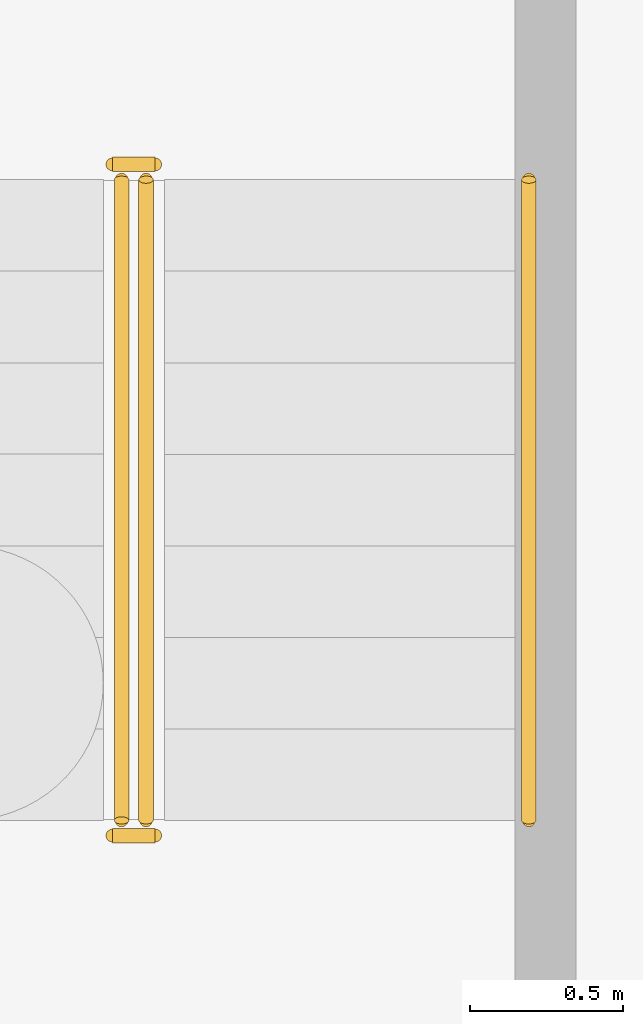
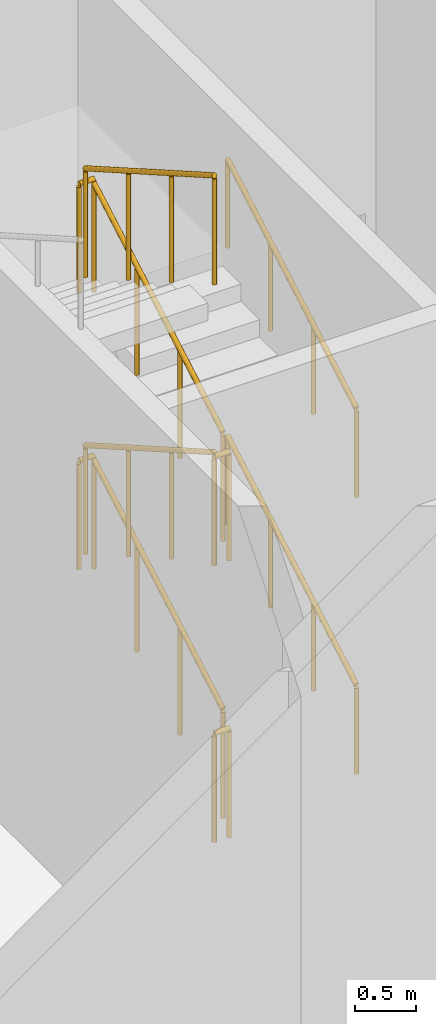
# One storey, part 59 of 82: 10 railings.
"""IFC4 building model written with IfcOpenShell, lengths in metres."""

from ifc_helpers import new_model, si_unit, direction, frame, origin, origin_2d, place, context, subcontext, project, spatial, circle, extrude, material, type_object, element, save


model = new_model("IFC4")

# Units and contexts
model_context = context("Model", 3, precision=1e-05, world=origin(), true_north=direction((0.0, 1.0)))
body_context = subcontext(model_context, "Body", "Model", "MODEL_VIEW")
ifc_project = project(units=[si_unit("LENGTHUNIT", "METRE"), si_unit("AREAUNIT", "SQUARE_METRE"), si_unit("VOLUMEUNIT", "CUBIC_METRE"), si_unit("PLANEANGLEUNIT", "RADIAN"), si_unit("MASSUNIT", "GRAM", prefix="KILO")], contexts=[model_context])

# Site, building, storey
site_placement = place(None, origin())
site = spatial("IfcSite", under=ifc_project, at=site_placement, CompositionType="ELEMENT")
building_placement = place(site_placement, origin())
building = spatial("IfcBuilding", under=site, at=building_placement, Name="Almond Square Museum", CompositionType="ELEMENT")
storey_placement = place(building_placement, origin())
storey = spatial("IfcBuildingStorey", under=building, at=storey_placement, Name="L00", CompositionType="ELEMENT", Elevation=0.0)

# Railings
ifc_material_1 = material(Name="Stainless steel and laminated glass", Category="steel")
railing_type_1 = type_object("IfcRailingType", Name="Stair guard 1100 steel and glass", PredefinedType="GUARDRAIL", material=ifc_material_1)
railing_1_placement = place(storey_placement, frame((125.090087890625, 12.14990234375, 0.171875)))
element("IfcRailing", 1, at=railing_1_placement, inside=storey, type_object=railing_type_1, Name="L00 ST-31 stair guard 1", PredefinedType="GUARDRAIL", context=body_context, shape_type="SweptSolid", body=[
    extrude(circle(Radius=0.02392578125, at=origin_2d()), frame((0.0, 0.0, 1.076171875), z_axis=(0.0, 0.867696358075, 0.497094588769), x_axis=(-1.0, 0.0, 0.0)), (0.0, 0.0, 1.0), 2.42041015625),
    extrude(circle(Radius=0.02099609375, at=origin_2d()), origin(), (0.0, 0.0, 1.0), 1.052001953125),
    extrude(circle(Radius=0.02099609375, at=origin_2d()), frame((0.0, 0.699951171875, 0.401123046875)), (0.0, 0.0, 1.0), 1.052001953125),
    extrude(circle(Radius=0.02099609375, at=origin_2d()), frame((0.0, 1.400146484375, 0.802001953125)), (0.0, 0.0, 1.0), 1.052001953125),
    extrude(circle(Radius=0.02099609375, at=origin_2d()), frame((0.0, 2.10009765625, 1.203125)), (0.0, 0.0, 1.0), 1.052001953125),
])
railing_2_placement = place(storey_placement, frame((125.1201171875, 14.300048828125, 1.375)))
element("IfcRailing", 2, at=railing_2_placement, inside=storey, type_object=railing_type_1, Name="L00 ST-31 stair guard 2", PredefinedType="GUARDRAIL", context=body_context, shape_type="SweptSolid", body=[
    extrude(circle(Radius=0.02392578125, at=origin_2d()), frame((0.0, 0.0, 1.076171875), z_axis=(-1.0, 0.0, 0.0), x_axis=(0.0, -1.0, 0.0)), (0.0, 0.0, 1.0), 0.14013671875),
    extrude(circle(Radius=0.02099609375, at=origin_2d()), origin(), (0.0, 0.0, 1.0), 1.052001953125),
    extrude(circle(Radius=0.02099609375, at=origin_2d()), frame((-0.14013671875, 0.0, 0.0)), (0.0, 0.0, 1.0), 1.052001953125),
])
railing_3_placement = place(storey_placement, frame((125.010009765625, 14.25, 1.546875)))
element("IfcRailing", 3, at=railing_3_placement, inside=storey, type_object=railing_type_1, Name="L00 ST-31 stair guard 3", PredefinedType="GUARDRAIL", context=body_context, shape_type="SweptSolid", body=[
    extrude(circle(Radius=0.02392578125, at=origin_2d()), frame((0.0, 0.0, 1.076171875), z_axis=(0.0, -0.867696358075, 0.497094588769), x_axis=(1.0, 0.0, 0.0)), (0.0, 0.0, 1.0), 2.42041015625),
    extrude(circle(Radius=0.02099609375, at=origin_2d()), origin(), (0.0, 0.0, 1.0), 1.052001953125),
    extrude(circle(Radius=0.02099609375, at=origin_2d()), frame((0.0, -0.699951171875, 0.401123046875)), (0.0, 0.0, 1.0), 1.052001953125),
    extrude(circle(Radius=0.02099609375, at=origin_2d()), frame((0.0, -1.400146484375, 0.802001953125)), (0.0, 0.0, 1.0), 1.052001953125),
    extrude(circle(Radius=0.02099609375, at=origin_2d()), frame((0.0, -2.10009765625, 1.203125)), (0.0, 0.0, 1.0), 1.052001953125),
])
railing_4_placement = place(storey_placement, frame((125.1201171875, 12.10009765625, 2.75)))
element("IfcRailing", 4, at=railing_4_placement, inside=storey, type_object=railing_type_1, Name="L00 ST-31 stair guard 4", PredefinedType="GUARDRAIL", context=body_context, shape_type="SweptSolid", body=[
    extrude(circle(Radius=0.02392578125, at=origin_2d()), frame((0.0, 0.0, 1.076171875), z_axis=(-1.0, 0.0, 0.0), x_axis=(0.0, -1.0, 0.0)), (0.0, 0.0, 1.0), 0.14013671875),
    extrude(circle(Radius=0.02099609375, at=origin_2d()), origin(), (0.0, 0.0, 1.0), 1.052001953125),
    extrude(circle(Radius=0.02099609375, at=origin_2d()), frame((-0.14013671875, 0.0, 0.0)), (0.0, 0.0, 1.0), 1.052001953125),
])
railing_5_placement = place(storey_placement, frame((125.090087890625, 12.14990234375, 2.921875)))
element("IfcRailing", 5, at=railing_5_placement, inside=storey, type_object=railing_type_1, Name="L00 ST-31 stair guard 5", PredefinedType="GUARDRAIL", context=body_context, shape_type="SweptSolid", body=[
    extrude(circle(Radius=0.02392578125, at=origin_2d()), frame((0.0, 0.0, 1.076171875), z_axis=(0.0, 0.867696358075, 0.497094588769), x_axis=(-1.0, 0.0, 0.0)), (0.0, 0.0, 1.0), 2.42041015625),
    extrude(circle(Radius=0.02099609375, at=origin_2d()), origin(), (0.0, 0.0, 1.0), 1.052001953125),
    extrude(circle(Radius=0.02099609375, at=origin_2d()), frame((0.0, 0.699951171875, 0.401123046875)), (0.0, 0.0, 1.0), 1.052001953125),
    extrude(circle(Radius=0.02099609375, at=origin_2d()), frame((0.0, 1.400146484375, 0.802001953125)), (0.0, 0.0, 1.0), 1.052001953125),
    extrude(circle(Radius=0.02099609375, at=origin_2d()), frame((0.0, 2.10009765625, 1.203125)), (0.0, 0.0, 1.0), 1.052001953125),
])
railing_6_placement = place(storey_placement, frame((125.1201171875, 14.300048828125, 4.125)))
element("IfcRailing", 6, at=railing_6_placement, inside=storey, type_object=railing_type_1, Name="L00 ST-31 stair guard 6", PredefinedType="GUARDRAIL", context=body_context, shape_type="SweptSolid", body=[
    extrude(circle(Radius=0.02392578125, at=origin_2d()), frame((0.0, 0.0, 1.076171875), z_axis=(-1.0, 0.0, 0.0), x_axis=(0.0, -1.0, 0.0)), (0.0, 0.0, 1.0), 0.14013671875),
    extrude(circle(Radius=0.02099609375, at=origin_2d()), origin(), (0.0, 0.0, 1.0), 1.052001953125),
    extrude(circle(Radius=0.02099609375, at=origin_2d()), frame((-0.14013671875, 0.0, 0.0)), (0.0, 0.0, 1.0), 1.052001953125),
])
railing_7_placement = place(storey_placement, frame((125.010009765625, 14.25, 4.296875)))
element("IfcRailing", 7, at=railing_7_placement, inside=storey, type_object=railing_type_1, Name="L00 ST-31 stair guard 7", PredefinedType="GUARDRAIL", context=body_context, shape_type="SweptSolid", body=[
    extrude(circle(Radius=0.02392578125, at=origin_2d()), frame((0.0, 0.0, 1.076171875), z_axis=(0.0, -0.867696358075, 0.497094588769), x_axis=(1.0, 0.0, 0.0)), (0.0, 0.0, 1.0), 2.42041015625),
    extrude(circle(Radius=0.02099609375, at=origin_2d()), origin(), (0.0, 0.0, 1.0), 1.052001953125),
    extrude(circle(Radius=0.02099609375, at=origin_2d()), frame((0.0, -0.699951171875, 0.401123046875)), (0.0, 0.0, 1.0), 1.052001953125),
    extrude(circle(Radius=0.02099609375, at=origin_2d()), frame((0.0, -1.400146484375, 0.802001953125)), (0.0, 0.0, 1.0), 1.052001953125),
    extrude(circle(Radius=0.02099609375, at=origin_2d()), frame((0.0, -2.10009765625, 1.203125)), (0.0, 0.0, 1.0), 1.052001953125),
])
railing_8_placement = place(storey_placement, frame((125.1201171875, 12.10009765625, 0.0)))
element("IfcRailing", 8, at=railing_8_placement, inside=storey, type_object=railing_type_1, Name="L00 ST-31 stair guard 8", PredefinedType="GUARDRAIL", context=body_context, shape_type="SweptSolid", body=[
    extrude(circle(Radius=0.02392578125, at=origin_2d()), frame((0.0, 0.0, 1.076171875), z_axis=(-1.0, 0.0, 0.0), x_axis=(0.0, -1.0, 0.0)), (0.0, 0.0, 1.0), 0.14013671875),
    extrude(circle(Radius=0.02099609375, at=origin_2d()), origin(), (0.0, 0.0, 1.0), 1.052001953125),
    extrude(circle(Radius=0.02099609375, at=origin_2d()), frame((-0.14013671875, 0.0, 0.0)), (0.0, 0.0, 1.0), 1.052001953125),
])
ifc_material_2 = material(Name="Stainless steel", Category="steel")
railing_type_2 = type_object("IfcRailingType", Name="Stair handrail 900 steel", PredefinedType="HANDRAIL", material=ifc_material_2)
for number, where, name in (
    (9, (126.344970703125, 12.14990234375, 0.171875), "L00 ST-31 stair handrail 1"),
    (10, (126.344970703125, 12.14990234375, 2.921875), "L00 ST-31 stair handrail 3"),
):
    element("IfcRailing", number, at=place(storey_placement, frame(where)), inside=storey, type_object=railing_type_2, Name=name, PredefinedType="HANDRAIL", context=body_context, shape_type="SweptSolid", body=[
        extrude(circle(Radius=0.02392578125, at=origin_2d()), frame((0.0, 0.0, 0.8759765625), z_axis=(0.0, 0.867696358075, 0.497094588769), x_axis=(-1.0, 0.0, 0.0)), (0.0, 0.0, 1.0), 2.42041015625),
        extrude(circle(Radius=0.02099609375, at=origin_2d()), origin(), (0.0, 0.0, 1.0), 0.851806640625),
        extrude(circle(Radius=0.02099609375, at=origin_2d()), frame((0.0, 0.699951171875, 0.401123046875)), (0.0, 0.0, 1.0), 0.851806640625),
        extrude(circle(Radius=0.02099609375, at=origin_2d()), frame((0.0, 1.400146484375, 0.802001953125)), (0.0, 0.0, 1.0), 0.851806640625),
        extrude(circle(Radius=0.02099609375, at=origin_2d()), frame((0.0, 2.10009765625, 1.203125)), (0.0, 0.0, 1.0), 0.851806640625),
    ])

save(model, "model.ifc")
